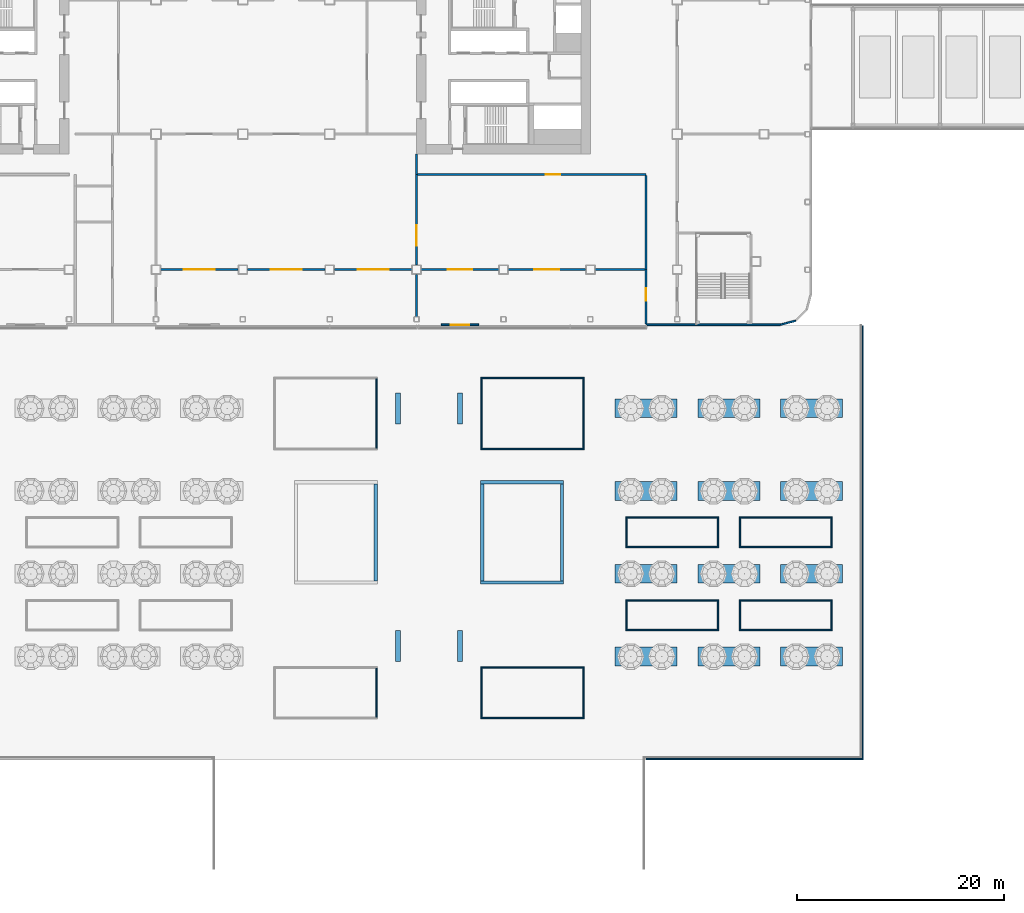
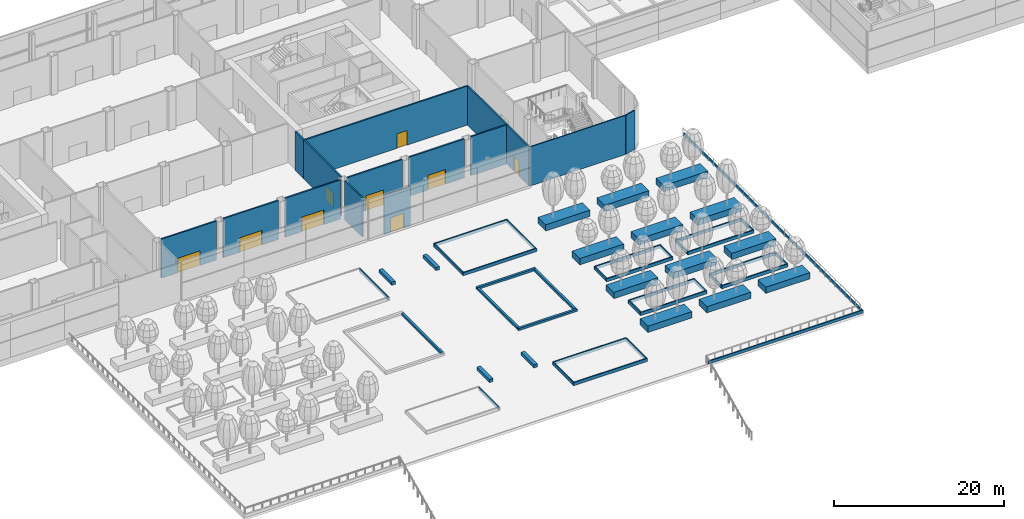
# One storey, part 31 of 100: 64 walls, 9 doors, 9 openings.
"""IFC4 building model written with IfcOpenShell, lengths in metres."""

from ifc_helpers import new_model, si_unit, direction, frame, frame_2d, origin, place, context, subcontext, project, spatial, rectangle, extrude, material, layer, layer_set, type_object, element, fill, save


model = new_model("IFC4")

# Units and contexts
model_context = context("Model", 3, precision=1e-05, world=origin(), true_north=direction((0.0, 1.0)))
body_context = subcontext(model_context, "Body", "Model", "MODEL_VIEW")
ifc_project = project(units=[si_unit("LENGTHUNIT", "METRE"), si_unit("AREAUNIT", "SQUARE_METRE"), si_unit("VOLUMEUNIT", "CUBIC_METRE"), si_unit("PLANEANGLEUNIT", "RADIAN"), si_unit("MASSUNIT", "GRAM", prefix="KILO")], contexts=[model_context])

# Site, building, storey
site_placement = place(None, origin())
site = spatial("IfcSite", under=ifc_project, at=site_placement, CompositionType="ELEMENT")
building_placement = place(site_placement, origin())
building = spatial("IfcBuilding", under=site, at=building_placement, Name="Hakoniwa Tower and Hamabe Station Hall", CompositionType="ELEMENT")
storey_placement = place(building_placement, frame((0.0, 0.0, 9.0)))
storey = spatial("IfcBuildingStorey", under=building, at=storey_placement, Name="L02", CompositionType="ELEMENT", Elevation=9.0)

# Walls
ifc_material_1 = material(Name="Concrete C30", Category="concrete")
ifc_layer_1 = layer(ifc_material_1, 0.300048828125)
ifc_layer_set_1 = layer_set([ifc_layer_1], Name="DECK BASIN WALL 300X300")
wall_type_1 = type_object("IfcWallType", Name="DECK BASIN WALL 300X300", PredefinedType="STANDARD", material=ifc_layer_set_1)
wall_1_placement = place(storey_placement, frame((12.85009765625, -49.699951171875, 0.0), z_axis=(0.0, 0.0, 1.0), x_axis=(0.0, 1.0, 0.0)))
element("IfcWall", 1, at=wall_1_placement, inside=storey, type_object=wall_type_1, Name="Water feature 1 wall 4", PredefinedType="STANDARD", context=body_context, shape_type="SweptSolid", body=[
    extrude(rectangle(XDim=9.39990234375, YDim=0.300048828125, at=frame_2d((4.699951171875, 0.0))), origin(), (0.0, 0.0, 1.0), 0.300048828125),
])
for number, where, z_axis, x_axis, name in (
    (2, (23.0, -49.85009765625, 0.0), (0.0, 0.0, 1.0), (1.0, 0.0, 0.0), "Water feature 2 wall 1"),
    (3, (23.0, -40.14990234375, 0.0), (0.0, 0.0, 1.0), (1.0, 0.0, 0.0), "Water feature 2 wall 2"),
):
    element("IfcWall", number, at=place(storey_placement, frame(where, z_axis=z_axis, x_axis=x_axis)), inside=storey, type_object=wall_type_1, Name=name, PredefinedType="STANDARD", context=body_context, shape_type="SweptSolid", body=[
        extrude(rectangle(XDim=8.0, YDim=0.300048828125, at=frame_2d((4.0, 0.0))), origin(), (0.0, 0.0, 1.0), 0.300048828125),
    ])
for number, where, z_axis, x_axis, name in (
    (4, (23.14990234375, -49.699951171875, 0.0), (0.0, 0.0, 1.0), (0.0, 1.0, 0.0), "Water feature 2 wall 3"),
    (5, (30.85009765625, -49.699951171875, 0.0), (0.0, 0.0, 1.0), (0.0, 1.0, 0.0), "Water feature 2 wall 4"),
):
    element("IfcWall", number, at=place(storey_placement, frame(where, z_axis=z_axis, x_axis=x_axis)), inside=storey, type_object=wall_type_1, Name=name, PredefinedType="STANDARD", context=body_context, shape_type="SweptSolid", body=[
        extrude(rectangle(XDim=9.39990234375, YDim=0.300048828125, at=frame_2d((4.699951171875, 0.0))), origin(), (0.0, 0.0, 1.0), 0.300048828125),
    ])
ifc_material_2 = material(Name="Concrete C30", Category="concrete")
ifc_layer_2 = layer(ifc_material_2, 0.14990234375)
ifc_layer_set_2 = layer_set([ifc_layer_2], Name="DECK BED KERB 150X450")
wall_type_2 = type_object("IfcWallType", Name="DECK BED KERB 150X450", PredefinedType="STANDARD", material=ifc_layer_set_2)
wall_2_placement = place(storey_placement, frame((12.925048828125, -62.85009765625, 0.0), z_axis=(0.0, 0.0, 1.0), x_axis=(0.0, 1.0, 0.0)))
element("IfcWall", 6, at=wall_2_placement, inside=storey, type_object=wall_type_2, Name="Planting bed 01 kerb 4", PredefinedType="STANDARD", context=body_context, shape_type="SweptSolid", body=[
    extrude(rectangle(XDim=4.7001953125, YDim=0.14990234375, at=frame_2d((2.35009765625, 0.0))), origin(), (0.0, 0.0, 1.0), 0.449951171875),
])
for number, where, z_axis, x_axis, name in (
    (7, (23.0, -62.925048828125, 0.0), (0.0, 0.0, 1.0), (1.0, 0.0, 0.0), "Planting bed 02 kerb 1"),
    (8, (23.0, -58.074951171875, 0.0), (0.0, 0.0, 1.0), (1.0, 0.0, 0.0), "Planting bed 02 kerb 2"),
):
    element("IfcWall", number, at=place(storey_placement, frame(where, z_axis=z_axis, x_axis=x_axis)), inside=storey, type_object=wall_type_2, Name=name, PredefinedType="STANDARD", context=body_context, shape_type="SweptSolid", body=[
        extrude(rectangle(XDim=10.0, YDim=0.14990234375, at=frame_2d((5.0, 0.0))), origin(), (0.0, 0.0, 1.0), 0.449951171875),
    ])
for number, where, z_axis, x_axis, name in (
    (9, (23.074951171875, -62.85009765625, 0.0), (0.0, 0.0, 1.0), (0.0, 1.0, 0.0), "Planting bed 02 kerb 3"),
    (10, (32.925048828125, -62.85009765625, 0.0), (0.0, 0.0, 1.0), (0.0, 1.0, 0.0), "Planting bed 02 kerb 4"),
):
    element("IfcWall", number, at=place(storey_placement, frame(where, z_axis=z_axis, x_axis=x_axis)), inside=storey, type_object=wall_type_2, Name=name, PredefinedType="STANDARD", context=body_context, shape_type="SweptSolid", body=[
        extrude(rectangle(XDim=4.7001953125, YDim=0.14990234375, at=frame_2d((2.35009765625, 0.0))), origin(), (0.0, 0.0, 1.0), 0.449951171875),
    ])
wall_3_placement = place(storey_placement, frame((12.925048828125, -36.85009765625, 0.0), z_axis=(0.0, 0.0, 1.0), x_axis=(0.0, 1.0, 0.0)))
element("IfcWall", 11, at=wall_3_placement, inside=storey, type_object=wall_type_2, Name="Planting bed 03 kerb 4", PredefinedType="STANDARD", context=body_context, shape_type="SweptSolid", body=[
    extrude(rectangle(XDim=6.7001953125, YDim=0.14990234375, at=frame_2d((3.35009765625, 0.0))), origin(), (0.0, 0.0, 1.0), 0.449951171875),
])
for number, where, z_axis, x_axis, name in (
    (12, (23.0, -36.925048828125, 0.0), (0.0, 0.0, 1.0), (1.0, 0.0, 0.0), "Planting bed 04 kerb 1"),
    (13, (23.0, -30.074951171875, 0.0), (0.0, 0.0, 1.0), (1.0, 0.0, 0.0), "Planting bed 04 kerb 2"),
):
    element("IfcWall", number, at=place(storey_placement, frame(where, z_axis=z_axis, x_axis=x_axis)), inside=storey, type_object=wall_type_2, Name=name, PredefinedType="STANDARD", context=body_context, shape_type="SweptSolid", body=[
        extrude(rectangle(XDim=10.0, YDim=0.14990234375, at=frame_2d((5.0, 0.0))), origin(), (0.0, 0.0, 1.0), 0.449951171875),
    ])
for number, where, z_axis, x_axis, name in (
    (14, (23.074951171875, -36.85009765625, 0.0), (0.0, 0.0, 1.0), (0.0, 1.0, 0.0), "Planting bed 04 kerb 3"),
    (15, (32.925048828125, -36.85009765625, 0.0), (0.0, 0.0, 1.0), (0.0, 1.0, 0.0), "Planting bed 04 kerb 4"),
):
    element("IfcWall", number, at=place(storey_placement, frame(where, z_axis=z_axis, x_axis=x_axis)), inside=storey, type_object=wall_type_2, Name=name, PredefinedType="STANDARD", context=body_context, shape_type="SweptSolid", body=[
        extrude(rectangle(XDim=6.7001953125, YDim=0.14990234375, at=frame_2d((3.35009765625, 0.0))), origin(), (0.0, 0.0, 1.0), 0.449951171875),
    ])
for number, where, z_axis, x_axis, name in (
    (16, (48.0, -54.425048828125, 0.0), (0.0, 0.0, 1.0), (1.0, 0.0, 0.0), "Planting bed 06 kerb 1"),
    (17, (48.0, -51.574951171875, 0.0), (0.0, 0.0, 1.0), (1.0, 0.0, 0.0), "Planting bed 06 kerb 2"),
):
    element("IfcWall", number, at=place(storey_placement, frame(where, z_axis=z_axis, x_axis=x_axis)), inside=storey, type_object=wall_type_2, Name=name, PredefinedType="STANDARD", context=body_context, shape_type="SweptSolid", body=[
        extrude(rectangle(XDim=9.0, YDim=0.14990234375, at=frame_2d((4.5, 0.0))), origin(), (0.0, 0.0, 1.0), 0.449951171875),
    ])
for number, where, z_axis, x_axis, name in (
    (18, (48.074951171875, -54.35009765625, 0.0), (0.0, 0.0, 1.0), (0.0, 1.0, 0.0), "Planting bed 06 kerb 3"),
    (19, (56.925048828125, -54.35009765625, 0.0), (0.0, 0.0, 1.0), (0.0, 1.0, 0.0), "Planting bed 06 kerb 4"),
):
    element("IfcWall", number, at=place(storey_placement, frame(where, z_axis=z_axis, x_axis=x_axis)), inside=storey, type_object=wall_type_2, Name=name, PredefinedType="STANDARD", context=body_context, shape_type="SweptSolid", body=[
        extrude(rectangle(XDim=2.7001953125, YDim=0.14990234375, at=frame_2d((1.35009765625, 0.0))), origin(), (0.0, 0.0, 1.0), 0.449951171875),
    ])
for number, where, z_axis, x_axis, name in (
    (20, (37.0, -54.425048828125, 0.0), (0.0, 0.0, 1.0), (1.0, 0.0, 0.0), "Planting bed 08 kerb 1"),
    (21, (37.0, -51.574951171875, 0.0), (0.0, 0.0, 1.0), (1.0, 0.0, 0.0), "Planting bed 08 kerb 2"),
):
    element("IfcWall", number, at=place(storey_placement, frame(where, z_axis=z_axis, x_axis=x_axis)), inside=storey, type_object=wall_type_2, Name=name, PredefinedType="STANDARD", context=body_context, shape_type="SweptSolid", body=[
        extrude(rectangle(XDim=9.0, YDim=0.14990234375, at=frame_2d((4.5, 0.0))), origin(), (0.0, 0.0, 1.0), 0.449951171875),
    ])
for number, where, z_axis, x_axis, name in (
    (22, (37.074951171875, -54.35009765625, 0.0), (0.0, 0.0, 1.0), (0.0, 1.0, 0.0), "Planting bed 08 kerb 3"),
    (23, (45.925048828125, -54.35009765625, 0.0), (0.0, 0.0, 1.0), (0.0, 1.0, 0.0), "Planting bed 08 kerb 4"),
):
    element("IfcWall", number, at=place(storey_placement, frame(where, z_axis=z_axis, x_axis=x_axis)), inside=storey, type_object=wall_type_2, Name=name, PredefinedType="STANDARD", context=body_context, shape_type="SweptSolid", body=[
        extrude(rectangle(XDim=2.7001953125, YDim=0.14990234375, at=frame_2d((1.35009765625, 0.0))), origin(), (0.0, 0.0, 1.0), 0.449951171875),
    ])
for number, where, z_axis, x_axis, name in (
    (24, (48.0, -46.425048828125, 0.0), (0.0, 0.0, 1.0), (1.0, 0.0, 0.0), "Planting bed 10 kerb 1"),
    (25, (48.0, -43.574951171875, 0.0), (0.0, 0.0, 1.0), (1.0, 0.0, 0.0), "Planting bed 10 kerb 2"),
):
    element("IfcWall", number, at=place(storey_placement, frame(where, z_axis=z_axis, x_axis=x_axis)), inside=storey, type_object=wall_type_2, Name=name, PredefinedType="STANDARD", context=body_context, shape_type="SweptSolid", body=[
        extrude(rectangle(XDim=9.0, YDim=0.14990234375, at=frame_2d((4.5, 0.0))), origin(), (0.0, 0.0, 1.0), 0.449951171875),
    ])
for number, where, z_axis, x_axis, name in (
    (26, (48.074951171875, -46.35009765625, 0.0), (0.0, 0.0, 1.0), (0.0, 1.0, 0.0), "Planting bed 10 kerb 3"),
    (27, (56.925048828125, -46.35009765625, 0.0), (0.0, 0.0, 1.0), (0.0, 1.0, 0.0), "Planting bed 10 kerb 4"),
):
    element("IfcWall", number, at=place(storey_placement, frame(where, z_axis=z_axis, x_axis=x_axis)), inside=storey, type_object=wall_type_2, Name=name, PredefinedType="STANDARD", context=body_context, shape_type="SweptSolid", body=[
        extrude(rectangle(XDim=2.7001953125, YDim=0.14990234375, at=frame_2d((1.35009765625, 0.0))), origin(), (0.0, 0.0, 1.0), 0.449951171875),
    ])
for number, where, z_axis, x_axis, name in (
    (28, (37.0, -46.425048828125, 0.0), (0.0, 0.0, 1.0), (1.0, 0.0, 0.0), "Planting bed 12 kerb 1"),
    (29, (37.0, -43.574951171875, 0.0), (0.0, 0.0, 1.0), (1.0, 0.0, 0.0), "Planting bed 12 kerb 2"),
):
    element("IfcWall", number, at=place(storey_placement, frame(where, z_axis=z_axis, x_axis=x_axis)), inside=storey, type_object=wall_type_2, Name=name, PredefinedType="STANDARD", context=body_context, shape_type="SweptSolid", body=[
        extrude(rectangle(XDim=9.0, YDim=0.14990234375, at=frame_2d((4.5, 0.0))), origin(), (0.0, 0.0, 1.0), 0.449951171875),
    ])
for number, where, z_axis, x_axis, name in (
    (30, (37.074951171875, -46.35009765625, 0.0), (0.0, 0.0, 1.0), (0.0, 1.0, 0.0), "Planting bed 12 kerb 3"),
    (31, (45.925048828125, -46.35009765625, 0.0), (0.0, 0.0, 1.0), (0.0, 1.0, 0.0), "Planting bed 12 kerb 4"),
):
    element("IfcWall", number, at=place(storey_placement, frame(where, z_axis=z_axis, x_axis=x_axis)), inside=storey, type_object=wall_type_2, Name=name, PredefinedType="STANDARD", context=body_context, shape_type="SweptSolid", body=[
        extrude(rectangle(XDim=2.7001953125, YDim=0.14990234375, at=frame_2d((1.35009765625, 0.0))), origin(), (0.0, 0.0, 1.0), 0.449951171875),
    ])
ifc_material_3 = material(Name="Concrete C30", Category="concrete")
ifc_layer_3 = layer(ifc_material_3, 0.14990234375)
ifc_layer_set_3 = layer_set([ifc_layer_3], Name="DECK EDGE CURB 150X350")
wall_type_3 = type_object("IfcWallType", Name="DECK EDGE CURB 150X350", PredefinedType="STANDARD", material=ifc_layer_set_3)
wall_4_placement = place(storey_placement, frame((39.0, -66.925048828125, -0.06005859375), z_axis=(0.0, 0.0, 1.0), x_axis=(1.0, 0.0, 0.0)))
element("IfcWall", 32, at=wall_4_placement, inside=storey, type_object=wall_type_3, Name="Deck edge curb south e", PredefinedType="STANDARD", context=body_context, shape_type="SweptSolid", body=[
    extrude(rectangle(XDim=21.0, YDim=0.14990234375, at=frame_2d((10.5, 0.0))), origin(), (0.0, 0.0, 1.0), 0.41015625),
])
wall_5_placement = place(storey_placement, frame((59.925048828125, -67.0, -0.06005859375), z_axis=(0.0, 0.0, 1.0), x_axis=(0.0, 1.0, 0.0)))
element("IfcWall", 33, at=wall_5_placement, inside=storey, type_object=wall_type_3, Name="Deck edge curb east", PredefinedType="STANDARD", context=body_context, shape_type="SweptSolid", body=[
    extrude(rectangle(XDim=42.0, YDim=0.14990234375, at=frame_2d((21.0, 0.0))), origin(), (0.0, 0.0, 1.0), 0.41015625),
])
ifc_material_4 = material(Name="Concrete C30", Category="concrete")
ifc_layer_4 = layer(ifc_material_4, 1.800048828125)
ifc_layer_set_4 = layer_set([ifc_layer_4], Name="DECK PLANTER 1800 WIDE 900 DEEP")
wall_type_4 = type_object("IfcWallType", Name="DECK PLANTER 1800 WIDE 900 DEEP", PredefinedType="STANDARD", material=ifc_layer_set_4)
for number, where, z_axis, x_axis, name in (
    (34, (36.0, -57.0, 0.0), (0.0, 0.0, 1.0), (1.0, 0.0, 0.0), "Planter 04"),
    (35, (44.0, -57.0, 0.0), (0.0, 0.0, 1.0), (1.0, 0.0, 0.0), "Planter 05"),
    (36, (52.0, -57.0, 0.0), (0.0, 0.0, 1.0), (1.0, 0.0, 0.0), "Planter 06"),
    (37, (36.0, -49.0, 0.0), (0.0, 0.0, 1.0), (1.0, 0.0, 0.0), "Planter 10"),
    (38, (44.0, -49.0, 0.0), (0.0, 0.0, 1.0), (1.0, 0.0, 0.0), "Planter 11"),
    (39, (52.0, -49.0, 0.0), (0.0, 0.0, 1.0), (1.0, 0.0, 0.0), "Planter 12"),
    (40, (36.0, -41.0, 0.0), (0.0, 0.0, 1.0), (1.0, 0.0, 0.0), "Planter 16"),
    (41, (44.0, -41.0, 0.0), (0.0, 0.0, 1.0), (1.0, 0.0, 0.0), "Planter 17"),
    (42, (52.0, -41.0, 0.0), (0.0, 0.0, 1.0), (1.0, 0.0, 0.0), "Planter 18"),
    (43, (36.0, -33.0, 0.0), (0.0, 0.0, 1.0), (1.0, 0.0, 0.0), "Planter 22"),
    (44, (44.0, -33.0, 0.0), (0.0, 0.0, 1.0), (1.0, 0.0, 0.0), "Planter 23"),
    (45, (52.0, -33.0, 0.0), (0.0, 0.0, 1.0), (1.0, 0.0, 0.0), "Planter 24"),
):
    element("IfcWall", number, at=place(storey_placement, frame(where, z_axis=z_axis, x_axis=x_axis)), inside=storey, type_object=wall_type_4, Name=name, PredefinedType="STANDARD", context=body_context, shape_type="SweptSolid", body=[
        extrude(rectangle(XDim=6.0, YDim=1.800048828125, at=frame_2d((3.0, 0.0))), origin(), (0.0, 0.0, 1.0), 0.89990234375),
    ])
ifc_material_5 = material(Name="Granite block", Category="masonry")
ifc_layer_5 = layer(ifc_material_5, 0.5)
ifc_layer_set_5 = layer_set([ifc_layer_5], Name="DECK SEAT WALL 500X450")
wall_type_5 = type_object("IfcWallType", Name="DECK SEAT WALL 500X450", PredefinedType="STANDARD", material=ifc_layer_set_5)
for number, where, z_axis, x_axis, name in (
    (46, (15.0, -57.5, 0.0), (0.0, 0.0, 1.0), (0.0, 1.0, 0.0), "Seat wall 1"),
    (47, (21.0, -57.5, 0.0), (0.0, 0.0, 1.0), (0.0, 1.0, 0.0), "Seat wall 2"),
    (48, (15.0, -34.5, 0.0), (0.0, 0.0, 1.0), (0.0, 1.0, 0.0), "Seat wall 3"),
    (49, (21.0, -34.5, 0.0), (0.0, 0.0, 1.0), (0.0, 1.0, 0.0), "Seat wall 4"),
):
    element("IfcWall", number, at=place(storey_placement, frame(where, z_axis=z_axis, x_axis=x_axis)), inside=storey, type_object=wall_type_5, Name=name, PredefinedType="STANDARD", context=body_context, shape_type="SweptSolid", body=[
        extrude(rectangle(XDim=3.0, YDim=0.5, at=frame_2d((1.5, 0.0))), origin(), (0.0, 0.0, 1.0), 0.449951171875),
    ])
ifc_material_6 = material(Name="Dark glass-faced aluminium panel", Category="aluminium")
ifc_layer_6 = layer(ifc_material_6, 0.14990234375)
ifc_layer_set_6 = layer_set([ifc_layer_6], Name="EXTERNAL WALL 150 EI 60")
wall_type_6 = type_object("IfcWallType", Name="EXTERNAL WALL 150 EI 60", PredefinedType="STANDARD", material=ifc_layer_set_6)
wall_6_placement = place(storey_placement, frame((53.441650390625, -24.5361328125, 0.0), z_axis=(0.0, 0.0, 1.0), x_axis=(-0.965946591624, -0.258741535379, 0.0)))
element("IfcWall", 50, at=wall_6_placement, inside=storey, type_object=wall_type_6, Name="External wall L02 3-1", PredefinedType="STANDARD", context=body_context, shape_type="SweptSolid", body=[
    extrude(rectangle(XDim=1.49267578125, YDim=0.14990234375, at=frame_2d((0.746337890625, 0.0))), origin(), (0.0, 0.0, 1.0), 5.60009765625),
])
wall_7_placement = place(storey_placement, frame((51.980224609375, -24.925048828125, 0.0), z_axis=(0.0, 0.0, 1.0), x_axis=(-1.0, 0.0, 0.0)))
element("IfcWall", 51, at=wall_7_placement, inside=storey, type_object=wall_type_6, Name="External wall L02 4-1", PredefinedType="STANDARD", context=body_context, shape_type="SweptSolid", body=[
    extrude(rectangle(XDim=12.980224609375, YDim=0.14990234375, at=frame_2d((6.490234375, 0.0))), origin(), (0.0, 0.0, 1.0), 5.60009765625),
])

# Wall, opening, door
wall_8_placement = place(storey_placement, frame((22.800048828125, -24.925048828125, 0.0), z_axis=(0.0, 0.0, 1.0), x_axis=(-1.0, 0.0, 0.0)))
wall_8 = element("IfcWall", 52, at=wall_8_placement, inside=storey, type_object=wall_type_6, Name="External wall L02 4-2", PredefinedType="STANDARD", context=body_context, shape_type="SweptSolid", body=[
    extrude(rectangle(XDim=3.60009765625, YDim=0.14990234375, at=frame_2d((1.800048828125, 0.0))), origin(), (0.0, 0.0, 1.0), 5.60009765625),
])
opening_1_placement = place(wall_8_placement, frame((0.89990234375, 0.0, 0.0)))
opening_1 = element("IfcOpeningElement", 53, at=opening_1_placement, cuts=wall_8, Name="Opening ED-S-11", PredefinedType="OPENING", context=body_context, shape_type="SweptSolid", body=[
    extrude(rectangle(XDim=1.800048828125, YDim=2.10009765625, at=frame_2d((0.89990234375, 1.050048828125))), frame((0.0, 0.0849609375, 0.0), z_axis=(0.0, -1.0, 0.0), x_axis=(1.0, 0.0, 0.0)), (0.0, 0.0, 1.0), 0.169921875),
])
ifc_material_7 = material(Name="Glazed aluminium door", Category="aluminium")
door_type_1 = type_object("IfcDoorType", Name="DOUBLE GLAZED DOOR 1800X2100", OperationType="DOUBLE_DOOR_DOUBLE_SWING", PredefinedType="DOOR", material=ifc_material_7)
door_1_placement = place(opening_1_placement, origin())
door_1 = element("IfcDoor", 54, at=door_1_placement, inside=storey, type_object=door_type_1, Name="Entrance door", OperationType="DOUBLE_DOOR_DOUBLE_SWING", OverallHeight=2.10009765625, OverallWidth=1.800048828125, PredefinedType="DOOR", context=body_context, shape_type="SweptSolid", body=[
    extrude(rectangle(XDim=1.800048828125, YDim=2.10009765625, at=frame_2d((0.89990234375, 1.050048828125))), frame((0.0, 0.02490234375, 0.0), z_axis=(0.0, -1.0, 0.0), x_axis=(1.0, 0.0, 0.0)), (0.0, 0.0, 1.0), 0.050048828125),
])
fill(opening_1, door_1)

# Walls
ifc_material_8 = material(Name="Fire-rated gypsum board partition")
ifc_layer_7 = layer(ifc_material_8, 0.199951171875)
ifc_layer_set_7 = layer_set([ifc_layer_7], Name="FIRE PARTITION 200 EI 60")
wall_type_7 = type_object("IfcWallType", Name="FIRE PARTITION 200 EI 60", PredefinedType="PARTITIONING", material=ifc_layer_set_7)
wall_9_placement = place(storey_placement, frame((16.800048828125, -10.39990234375, 0.0), z_axis=(0.0, 0.0, 1.0), x_axis=(0.0, 1.0, 0.0)))
element("IfcWall", 55, at=wall_9_placement, inside=storey, type_object=wall_type_7, Name="Wall East Gallery / Garden Tea Room", PredefinedType="PARTITIONING", context=body_context, shape_type="SweptSolid", body=[
    extrude(rectangle(XDim=2.0, YDim=0.199951171875, at=frame_2d((1.0, 0.0))), origin(), (0.0, 0.0, 1.0), 5.60009765625),
])
wall_10_placement = place(storey_placement, frame((39.0, -19.60009765625, 0.0), z_axis=(0.0, 0.0, 1.0), x_axis=(0.0, 1.0, 0.0)))
element("IfcWall", 56, at=wall_10_placement, inside=storey, type_object=wall_type_7, Name="Wall East Gallery / Umi Terrace Restaurant", PredefinedType="PARTITIONING", context=body_context, shape_type="SweptSolid", body=[
    extrude(rectangle(XDim=9.10009765625, YDim=0.199951171875, at=frame_2d((4.550048828125, 0.0))), origin(), (0.0, 0.0, 1.0), 5.60009765625),
])

# Wall, opening, door
wall_11_placement = place(storey_placement, frame((39.0, -10.39990234375, 0.0), z_axis=(0.0, 0.0, 1.0), x_axis=(-1.0, 0.0, 0.0)))
wall_11 = element("IfcWall", 57, at=wall_11_placement, inside=storey, type_object=wall_type_7, Name="Wall East Gallery / Umi Terrace Restaurant", PredefinedType="PARTITIONING", context=body_context, shape_type="SweptSolid", body=[
    extrude(rectangle(XDim=22.10009765625, YDim=0.199951171875, at=frame_2d((11.050048828125, 0.0))), origin(), (0.0, 0.0, 1.0), 5.60009765625),
])
opening_2_placement = place(wall_11_placement, frame((8.300048828125, 0.0, 0.0)))
opening_2 = element("IfcOpeningElement", 58, at=opening_2_placement, cuts=wall_11, Name="Opening PD-L02-044", PredefinedType="OPENING", context=body_context, shape_type="SweptSolid", body=[
    extrude(rectangle(XDim=1.39990234375, YDim=2.10009765625, at=frame_2d((0.699951171875, 1.050048828125))), frame((0.0, 0.10986328125, 0.0), z_axis=(0.0, -1.0, 0.0), x_axis=(1.0, 0.0, 0.0)), (0.0, 0.0, 1.0), 0.219970703125),
])
ifc_material_9 = material(Name="Steel fire door", Category="steel")
door_type_2 = type_object("IfcDoorType", Name="FIRE DOOR 1400X2100 FD60", OperationType="SINGLE_SWING_LEFT", PredefinedType="DOOR", material=ifc_material_9)
door_2_placement = place(opening_2_placement, origin())
door_2 = element("IfcDoor", 59, at=door_2_placement, inside=storey, type_object=door_type_2, Name="Door PD-L02-044", OperationType="SINGLE_SWING_LEFT", OverallHeight=2.10009765625, OverallWidth=1.39990234375, PredefinedType="DOOR", context=body_context, shape_type="SweptSolid", body=[
    extrude(rectangle(XDim=1.39990234375, YDim=2.10009765625, at=frame_2d((0.699951171875, 1.050048828125))), frame((0.0, 0.02490234375, 0.0), z_axis=(0.0, -1.0, 0.0), x_axis=(1.0, 0.0, 0.0)), (0.0, 0.0, 1.0), 0.050048828125),
])
fill(opening_2, door_2)

wall_12_placement = place(storey_placement, frame((39.0, -24.85009765625, 0.0), z_axis=(0.0, 0.0, 1.0), x_axis=(0.0, 1.0, 0.0)))
wall_12 = element("IfcWall", 60, at=wall_12_placement, inside=storey, type_object=wall_type_7, Name="Wall East Gallery / Umi Terrace Gallery", PredefinedType="PARTITIONING", context=body_context, shape_type="SweptSolid", body=[
    extrude(rectangle(XDim=5.25, YDim=0.199951171875, at=frame_2d((2.625, 0.0))), origin(), (0.0, 0.0, 1.0), 5.60009765625),
])
opening_3_placement = place(wall_12_placement, frame((2.25, 0.0, 0.0)))
opening_3 = element("IfcOpeningElement", 61, at=opening_3_placement, cuts=wall_12, Name="Opening PD-L02-045", PredefinedType="OPENING", context=body_context, shape_type="SweptSolid", body=[
    extrude(rectangle(XDim=1.199951171875, YDim=2.10009765625, at=frame_2d((0.60009765625, 1.050048828125))), frame((0.0, 0.10986328125, 0.0), z_axis=(0.0, -1.0, 0.0), x_axis=(1.0, 0.0, 0.0)), (0.0, 0.0, 1.0), 0.219970703125),
])
ifc_material_10 = material(Name="Steel fire door", Category="steel")
door_type_3 = type_object("IfcDoorType", Name="FIRE DOOR 1200X2100 FD60", OperationType="SINGLE_SWING_LEFT", PredefinedType="DOOR", material=ifc_material_10)
door_3_placement = place(opening_3_placement, origin())
door_3 = element("IfcDoor", 62, at=door_3_placement, inside=storey, type_object=door_type_3, Name="Door PD-L02-045", OperationType="SINGLE_SWING_RIGHT", OverallHeight=2.10009765625, OverallWidth=1.199951171875, PredefinedType="DOOR", context=body_context, shape_type="SweptSolid", body=[
    extrude(rectangle(XDim=1.199951171875, YDim=2.10009765625, at=frame_2d((0.60009765625, 1.050048828125))), frame((0.0, 0.02490234375, 0.0), z_axis=(0.0, -1.0, 0.0), x_axis=(1.0, 0.0, 0.0)), (0.0, 0.0, 1.0), 0.050048828125),
])
fill(opening_3, door_3)

wall_13_placement = place(storey_placement, frame((-7.949951171875, -19.60009765625, 0.0), z_axis=(0.0, 0.0, 1.0), x_axis=(1.0, 0.0, 0.0)))
wall_13 = element("IfcWall", 63, at=wall_13_placement, inside=storey, type_object=wall_type_7, Name="Wall Garden Lobby / Garden Tea Room", PredefinedType="PARTITIONING", context=body_context, shape_type="SweptSolid", body=[
    extrude(rectangle(XDim=7.5, YDim=0.199951171875, at=frame_2d((3.75, 0.0))), origin(), (0.0, 0.0, 1.0), 5.60009765625),
])
opening_4_placement = place(wall_13_placement, frame((2.25, 0.0, 0.0)))
opening_4 = element("IfcOpeningElement", 64, at=opening_4_placement, cuts=wall_13, Name="Opening PD-L02-007", PredefinedType="OPENING", context=body_context, shape_type="SweptSolid", body=[
    extrude(rectangle(XDim=3.0, YDim=2.10009765625, at=frame_2d((1.5, 1.050048828125))), frame((0.0, 0.10986328125, 0.0), z_axis=(0.0, -1.0, 0.0), x_axis=(1.0, 0.0, 0.0)), (0.0, 0.0, 1.0), 0.219970703125),
])
ifc_material_11 = material(Name="Glazed aluminium door", Category="aluminium")
door_type_4 = type_object("IfcDoorType", Name="DOUBLE GLAZED DOOR 3000X2100", OperationType="DOUBLE_DOOR_DOUBLE_SWING", PredefinedType="DOOR", material=ifc_material_11)
door_4_placement = place(opening_4_placement, origin())
door_4 = element("IfcDoor", 65, at=door_4_placement, inside=storey, type_object=door_type_4, Name="Door PD-L02-007", OperationType="DOUBLE_DOOR_DOUBLE_SWING", OverallHeight=2.10009765625, OverallWidth=3.0, PredefinedType="DOOR", context=body_context, shape_type="SweptSolid", body=[
    extrude(rectangle(XDim=3.0, YDim=2.10009765625, at=frame_2d((1.5, 1.050048828125))), frame((0.0, 0.02490234375, 0.0), z_axis=(0.0, -1.0, 0.0), x_axis=(1.0, 0.0, 0.0)), (0.0, 0.0, 1.0), 0.050048828125),
])
fill(opening_4, door_4)

wall_14_placement = place(storey_placement, frame((0.449951171875, -19.60009765625, 0.0), z_axis=(0.0, 0.0, 1.0), x_axis=(1.0, 0.0, 0.0)))
wall_14 = element("IfcWall", 66, at=wall_14_placement, inside=storey, type_object=wall_type_7, Name="Wall Garden Lobby / Garden Tea Room", PredefinedType="PARTITIONING", context=body_context, shape_type="SweptSolid", body=[
    extrude(rectangle(XDim=7.5, YDim=0.199951171875, at=frame_2d((3.75, 0.0))), origin(), (0.0, 0.0, 1.0), 5.60009765625),
])
opening_5_placement = place(wall_14_placement, frame((2.25, 0.0, 0.0)))
opening_5 = element("IfcOpeningElement", 67, at=opening_5_placement, cuts=wall_14, Name="Opening PD-L02-008", PredefinedType="OPENING", context=body_context, shape_type="SweptSolid", body=[
    extrude(rectangle(XDim=3.0, YDim=2.10009765625, at=frame_2d((1.5, 1.050048828125))), frame((0.0, 0.10986328125, 0.0), z_axis=(0.0, -1.0, 0.0), x_axis=(1.0, 0.0, 0.0)), (0.0, 0.0, 1.0), 0.219970703125),
])
door_5_placement = place(opening_5_placement, origin())
door_5 = element("IfcDoor", 68, at=door_5_placement, inside=storey, type_object=door_type_4, Name="Door PD-L02-008", OperationType="DOUBLE_DOOR_DOUBLE_SWING", OverallHeight=2.10009765625, OverallWidth=3.0, PredefinedType="DOOR", context=body_context, shape_type="SweptSolid", body=[
    extrude(rectangle(XDim=3.0, YDim=2.10009765625, at=frame_2d((1.5, 1.050048828125))), frame((0.0, 0.02490234375, 0.0), z_axis=(0.0, -1.0, 0.0), x_axis=(1.0, 0.0, 0.0)), (0.0, 0.0, 1.0), 0.050048828125),
])
fill(opening_5, door_5)

wall_15_placement = place(storey_placement, frame((8.85009765625, -19.60009765625, 0.0), z_axis=(0.0, 0.0, 1.0), x_axis=(1.0, 0.0, 0.0)))
wall_15 = element("IfcWall", 69, at=wall_15_placement, inside=storey, type_object=wall_type_7, Name="Wall Garden Lobby / Garden Tea Room", PredefinedType="PARTITIONING", context=body_context, shape_type="SweptSolid", body=[
    extrude(rectangle(XDim=7.5, YDim=0.199951171875, at=frame_2d((3.75, 0.0))), origin(), (0.0, 0.0, 1.0), 5.60009765625),
])
opening_6_placement = place(wall_15_placement, frame((2.25, 0.0, 0.0)))
opening_6 = element("IfcOpeningElement", 70, at=opening_6_placement, cuts=wall_15, Name="Opening PD-L02-009", PredefinedType="OPENING", context=body_context, shape_type="SweptSolid", body=[
    extrude(rectangle(XDim=3.0, YDim=2.10009765625, at=frame_2d((1.5, 1.050048828125))), frame((0.0, 0.10986328125, 0.0), z_axis=(0.0, -1.0, 0.0), x_axis=(1.0, 0.0, 0.0)), (0.0, 0.0, 1.0), 0.219970703125),
])
door_6_placement = place(opening_6_placement, origin())
door_6 = element("IfcDoor", 71, at=door_6_placement, inside=storey, type_object=door_type_4, Name="Door PD-L02-009", OperationType="DOUBLE_DOOR_DOUBLE_SWING", OverallHeight=2.10009765625, OverallWidth=3.0, PredefinedType="DOOR", context=body_context, shape_type="SweptSolid", body=[
    extrude(rectangle(XDim=3.0, YDim=2.10009765625, at=frame_2d((1.5, 1.050048828125))), frame((0.0, 0.02490234375, 0.0), z_axis=(0.0, -1.0, 0.0), x_axis=(1.0, 0.0, 0.0)), (0.0, 0.0, 1.0), 0.050048828125),
])
fill(opening_6, door_6)

# Wall
wall_16_placement = place(storey_placement, frame((16.800048828125, -20.050048828125, 0.0), z_axis=(0.0, 0.0, 1.0), x_axis=(0.0, -1.0, 0.0)))
element("IfcWall", 72, at=wall_16_placement, inside=storey, type_object=wall_type_7, Name="Wall Garden Lobby / Umi Terrace Gallery", PredefinedType="PARTITIONING", context=body_context, shape_type="SweptSolid", body=[
    extrude(rectangle(XDim=4.099853515625, YDim=0.199951171875, at=frame_2d((2.0498046875, 0.0))), origin(), (0.0, 0.0, 1.0), 5.60009765625),
])

# Wall, opening, door
wall_17_placement = place(storey_placement, frame((16.800048828125, -10.39990234375, 0.0), z_axis=(0.0, 0.0, 1.0), x_axis=(0.0, -1.0, 0.0)))
wall_17 = element("IfcWall", 73, at=wall_17_placement, inside=storey, type_object=wall_type_7, Name="Wall Garden Tea Room / Umi Terrace Restaurant", PredefinedType="PARTITIONING", context=body_context, shape_type="SweptSolid", body=[
    extrude(rectangle(XDim=8.75, YDim=0.199951171875, at=frame_2d((4.375, 0.0))), origin(), (0.0, 0.0, 1.0), 5.60009765625),
])
opening_7_placement = place(wall_17_placement, frame((4.89990234375, 0.0, 0.0)))
opening_7 = element("IfcOpeningElement", 74, at=opening_7_placement, cuts=wall_17, Name="Opening PD-L02-014", PredefinedType="OPENING", context=body_context, shape_type="SweptSolid", body=[
    extrude(rectangle(XDim=2.0, YDim=2.10009765625, at=frame_2d((1.0, 1.050048828125))), frame((0.0, 0.10986328125, 0.0), z_axis=(0.0, -1.0, 0.0), x_axis=(1.0, 0.0, 0.0)), (0.0, 0.0, 1.0), 0.219970703125),
])
ifc_material_12 = material(Name="Glazed aluminium door", Category="aluminium")
door_type_5 = type_object("IfcDoorType", Name="DOUBLE GLAZED DOOR 2000X2100", OperationType="DOUBLE_DOOR_DOUBLE_SWING", PredefinedType="DOOR", material=ifc_material_12)
door_7_placement = place(opening_7_placement, origin())
door_7 = element("IfcDoor", 75, at=door_7_placement, inside=storey, type_object=door_type_5, Name="Door PD-L02-014", OperationType="DOUBLE_DOOR_DOUBLE_SWING", OverallHeight=2.10009765625, OverallWidth=2.0, PredefinedType="DOOR", context=body_context, shape_type="SweptSolid", body=[
    extrude(rectangle(XDim=2.0, YDim=2.10009765625, at=frame_2d((1.0, 1.050048828125))), frame((0.0, 0.02490234375, 0.0), z_axis=(0.0, -1.0, 0.0), x_axis=(1.0, 0.0, 0.0)), (0.0, 0.0, 1.0), 0.050048828125),
])
fill(opening_7, door_7)

# Wall
wall_18_placement = place(storey_placement, frame((38.89990234375, -19.60009765625, 0.0), z_axis=(0.0, 0.0, 1.0), x_axis=(-1.0, 0.0, 0.0)))
element("IfcWall", 76, at=wall_18_placement, inside=storey, type_object=wall_type_7, Name="Wall Umi Terrace Restaurant / Umi Terrace Gallery", PredefinedType="PARTITIONING", context=body_context, shape_type="SweptSolid", body=[
    extrude(rectangle(XDim=4.849853515625, YDim=0.199951171875, at=frame_2d((2.4248046875, 0.0))), origin(), (0.0, 0.0, 1.0), 5.60009765625),
])

# Wall, opening, door
wall_19_placement = place(storey_placement, frame((33.14990234375, -19.60009765625, 0.0), z_axis=(0.0, 0.0, 1.0), x_axis=(-1.0, 0.0, 0.0)))
wall_19 = element("IfcWall", 77, at=wall_19_placement, inside=storey, type_object=wall_type_7, Name="Wall Umi Terrace Restaurant / Umi Terrace Gallery", PredefinedType="PARTITIONING", context=body_context, shape_type="SweptSolid", body=[
    extrude(rectangle(XDim=7.5, YDim=0.199951171875, at=frame_2d((3.75, 0.0))), origin(), (0.0, 0.0, 1.0), 5.60009765625),
])
opening_8_placement = place(wall_19_placement, frame((2.550048828125, 0.0, 0.0)))
opening_8 = element("IfcOpeningElement", 78, at=opening_8_placement, cuts=wall_19, Name="Opening PD-L02-021", PredefinedType="OPENING", context=body_context, shape_type="SweptSolid", body=[
    extrude(rectangle(XDim=2.39990234375, YDim=2.10009765625, at=frame_2d((1.199951171875, 1.050048828125))), frame((0.0, 0.10986328125, 0.0), z_axis=(0.0, -1.0, 0.0), x_axis=(1.0, 0.0, 0.0)), (0.0, 0.0, 1.0), 0.219970703125),
])
ifc_material_13 = material(Name="Glazed aluminium door", Category="aluminium")
door_type_6 = type_object("IfcDoorType", Name="DOUBLE GLAZED DOOR 2400X2100", OperationType="DOUBLE_DOOR_DOUBLE_SWING", PredefinedType="DOOR", material=ifc_material_13)
door_8_placement = place(opening_8_placement, origin())
door_8 = element("IfcDoor", 79, at=door_8_placement, inside=storey, type_object=door_type_6, Name="Door PD-L02-021", OperationType="DOUBLE_DOOR_DOUBLE_SWING", OverallHeight=2.10009765625, OverallWidth=2.39990234375, PredefinedType="DOOR", context=body_context, shape_type="SweptSolid", body=[
    extrude(rectangle(XDim=2.39990234375, YDim=2.10009765625, at=frame_2d((1.199951171875, 1.050048828125))), frame((0.0, 0.02490234375, 0.0), z_axis=(0.0, -1.0, 0.0), x_axis=(1.0, 0.0, 0.0)), (0.0, 0.0, 1.0), 0.050048828125),
])
fill(opening_8, door_8)

wall_20_placement = place(storey_placement, frame((24.75, -19.60009765625, 0.0), z_axis=(0.0, 0.0, 1.0), x_axis=(-1.0, 0.0, 0.0)))
wall_20 = element("IfcWall", 80, at=wall_20_placement, inside=storey, type_object=wall_type_7, Name="Wall Umi Terrace Restaurant / Umi Terrace Gallery", PredefinedType="PARTITIONING", context=body_context, shape_type="SweptSolid", body=[
    extrude(rectangle(XDim=7.5, YDim=0.199951171875, at=frame_2d((3.75, 0.0))), origin(), (0.0, 0.0, 1.0), 5.60009765625),
])
opening_9_placement = place(wall_20_placement, frame((2.550048828125, 0.0, 0.0)))
opening_9 = element("IfcOpeningElement", 81, at=opening_9_placement, cuts=wall_20, Name="Opening PD-L02-020", PredefinedType="OPENING", context=body_context, shape_type="SweptSolid", body=[
    extrude(rectangle(XDim=2.39990234375, YDim=2.10009765625, at=frame_2d((1.199951171875, 1.050048828125))), frame((0.0, 0.10986328125, 0.0), z_axis=(0.0, -1.0, 0.0), x_axis=(1.0, 0.0, 0.0)), (0.0, 0.0, 1.0), 0.219970703125),
])
door_9_placement = place(opening_9_placement, origin())
door_9 = element("IfcDoor", 82, at=door_9_placement, inside=storey, type_object=door_type_6, Name="Door PD-L02-020", OperationType="DOUBLE_DOOR_DOUBLE_SWING", OverallHeight=2.10009765625, OverallWidth=2.39990234375, PredefinedType="DOOR", context=body_context, shape_type="SweptSolid", body=[
    extrude(rectangle(XDim=2.39990234375, YDim=2.10009765625, at=frame_2d((1.199951171875, 1.050048828125))), frame((0.0, 0.02490234375, 0.0), z_axis=(0.0, -1.0, 0.0), x_axis=(1.0, 0.0, 0.0)), (0.0, 0.0, 1.0), 0.050048828125),
])
fill(opening_9, door_9)

save(model, "model.ifc")
